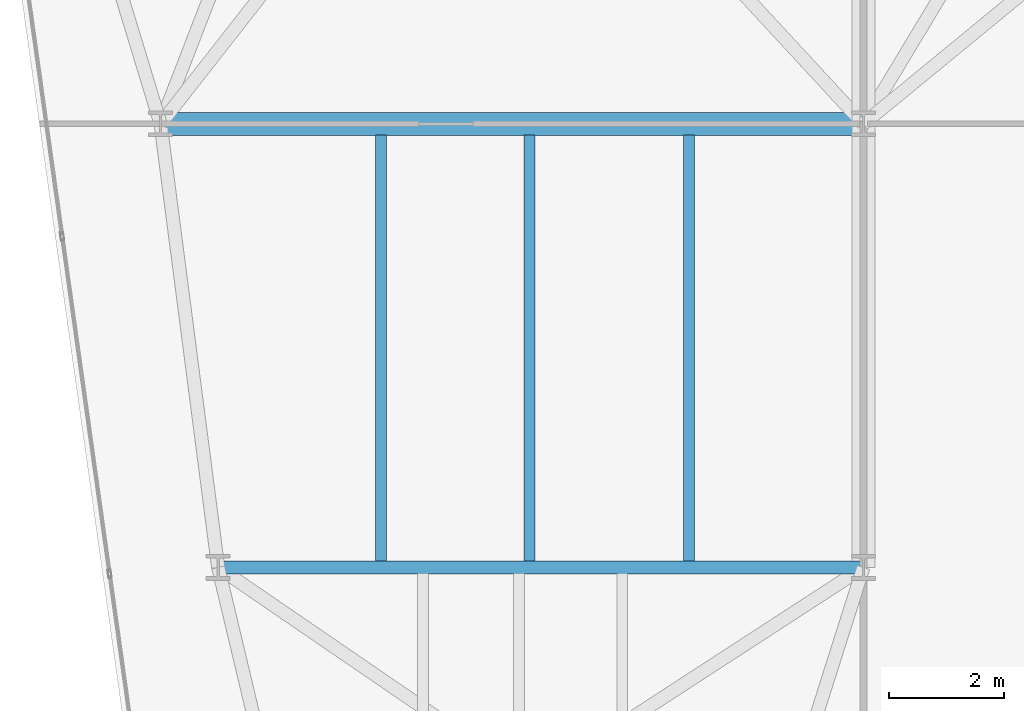
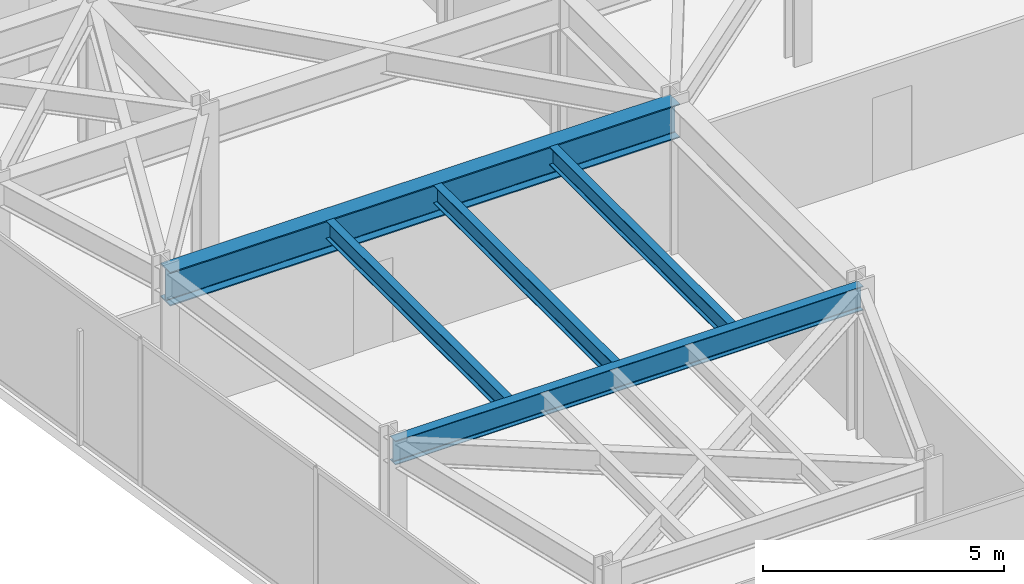
# One storey, part 6 of 26: 5 beams.
"""IFC4 building model written with IfcOpenShell, lengths in metres."""

from ifc_helpers import new_model, si_unit, direction, frame, origin, origin_2d, place, context, subcontext, project, spatial, i_section, extrude, material, material_profile, profile_set, type_object, element, save


model = new_model("IFC4")

# Units and contexts
model_context = context("Model", 3, precision=1e-05, world=origin(), true_north=direction((0.0, 1.0)))
body_context = subcontext(model_context, "Body", "Model", "MODEL_VIEW")
ifc_project = project(units=[si_unit("LENGTHUNIT", "METRE"), si_unit("AREAUNIT", "SQUARE_METRE"), si_unit("VOLUMEUNIT", "CUBIC_METRE"), si_unit("PLANEANGLEUNIT", "RADIAN"), si_unit("MASSUNIT", "GRAM", prefix="KILO")], contexts=[model_context])

# Site, building, storey
site_placement = place(None, origin())
site = spatial("IfcSite", under=ifc_project, at=site_placement, CompositionType="ELEMENT")
building_placement = place(site_placement, origin())
building = spatial("IfcBuilding", under=site, at=building_placement, Name="Kravanh Interchange Tower", CompositionType="ELEMENT")
storey_placement = place(building_placement, frame((0.0, 0.0, 144.0)))
storey = spatial("IfcBuildingStorey", under=building, at=storey_placement, Name="L34", CompositionType="ELEMENT", Elevation=144.0)

# Beams
ifc_material_1 = material(Name="Structural Steel S355", Category="steel")
ifc_material_profile_1 = material_profile(ifc_material_1, i_section(OverallWidth=0.39990234375, OverallDepth=0.85595703125, WebThickness=0.018310546875, FlangeThickness=0.029296875, FilletRadius=0.02490234375, at=origin_2d()), Name="W33X201")
ifc_profile_set_1 = profile_set([ifc_material_profile_1], Name="Structural Steel S355")
beam_type_1 = type_object("IfcBeamType", Name="Floor Beam W33X201 Structural Steel S355", PredefinedType="BEAM", material=ifc_profile_set_1)
beam_1_placement = place(storey_placement, frame((15.0, 22.199951171875, 3.322021484375), z_axis=(1.0, 0.0, 0.0), x_axis=(0.0, 1.0, 0.0)))
element("IfcBeam", 1, at=beam_1_placement, inside=storey, type_object=beam_type_1, Name="L34 Primary Floor Girder 108", PredefinedType="BEAM", context=body_context, shape_type="SweptSolid", body=[
    extrude(i_section(OverallWidth=0.39990234375, OverallDepth=0.85595703125, WebThickness=0.018310546875, FlangeThickness=0.029296875, FilletRadius=0.02490234375, at=origin_2d()), origin(), (0.0, 0.0, 1.0), 12.199951171875),
])
ifc_material_2 = material(Name="Structural Steel S355", Category="steel")
ifc_material_profile_2 = material_profile(ifc_material_2, i_section(OverallWidth=0.18994140625, OverallDepth=0.45703125, WebThickness=0.009033203125, FlangeThickness=0.014404296875, FilletRadius=0.01806640625, at=origin_2d()), Name="W18X50")
ifc_profile_set_2 = profile_set([ifc_material_profile_2], Name="Structural Steel S355")
beam_type_2 = type_object("IfcBeamType", Name="Floor Joist W18X50 Structural Steel S355", PredefinedType="JOIST", material=ifc_profile_set_2)
for number, where, z_axis, x_axis, name in (
    (2, (18.827880859375, 14.60888671875, 3.521484375), (0.0, 1.0, 0.0), (-1.0, 0.0, 0.0), "L34 Secondary Floor Joist 7"),
    (3, (21.402099609375, 14.60888671875, 3.521484375), (0.0, 1.0, 0.0), (-1.0, 0.0, 0.0), "L34 Secondary Floor Joist 8"),
    (4, (24.174072265625, 14.60888671875, 3.521484375), (0.0, 1.0, 0.0), (-1.0, 0.0, 0.0), "L34 Secondary Floor Joist 9"),
):
    element("IfcBeam", number, at=place(storey_placement, frame(where, z_axis=z_axis, x_axis=x_axis)), inside=storey, type_object=beam_type_2, Name=name, PredefinedType="JOIST", context=body_context, shape_type="SweptSolid", body=[
        extrude(i_section(OverallWidth=0.18994140625, OverallDepth=0.45703125, WebThickness=0.009033203125, FlangeThickness=0.014404296875, FilletRadius=0.01806640625, at=origin_2d()), origin(), (0.0, 0.0, 1.0), 7.39599609375),
    ])
ifc_material_3 = material(Name="Structural Steel S355", Category="steel")
ifc_material_profile_3 = material_profile(ifc_material_3, i_section(OverallWidth=0.22802734375, OverallDepth=0.60791015625, WebThickness=0.01123046875, FlangeThickness=0.017333984375, FilletRadius=0.02197265625, at=origin_2d()), Name="W24X76")
ifc_profile_set_3 = profile_set([ifc_material_profile_3], Name="Structural Steel S355")
beam_type_3 = type_object("IfcBeamType", Name="Floor Spandrel W24X76 Structural Steel S355", PredefinedType="SPANDREL", material=ifc_profile_set_3)
beam_2_placement = place(storey_placement, frame((16.0, 14.5, 3.446044921875), z_axis=(1.0, 0.0, 0.0), x_axis=(0.0, 1.0, 0.0)))
element("IfcBeam", 5, at=beam_2_placement, inside=storey, type_object=beam_type_3, Name="L34 Perimeter Spandrel 101", PredefinedType="SPANDREL", context=body_context, shape_type="SweptSolid", body=[
    extrude(i_section(OverallWidth=0.22802734375, OverallDepth=0.60791015625, WebThickness=0.01123046875, FlangeThickness=0.017333984375, FilletRadius=0.02197265625, at=origin_2d()), origin(), (0.0, 0.0, 1.0), 11.199951171875),
])

save(model, "model.ifc")
